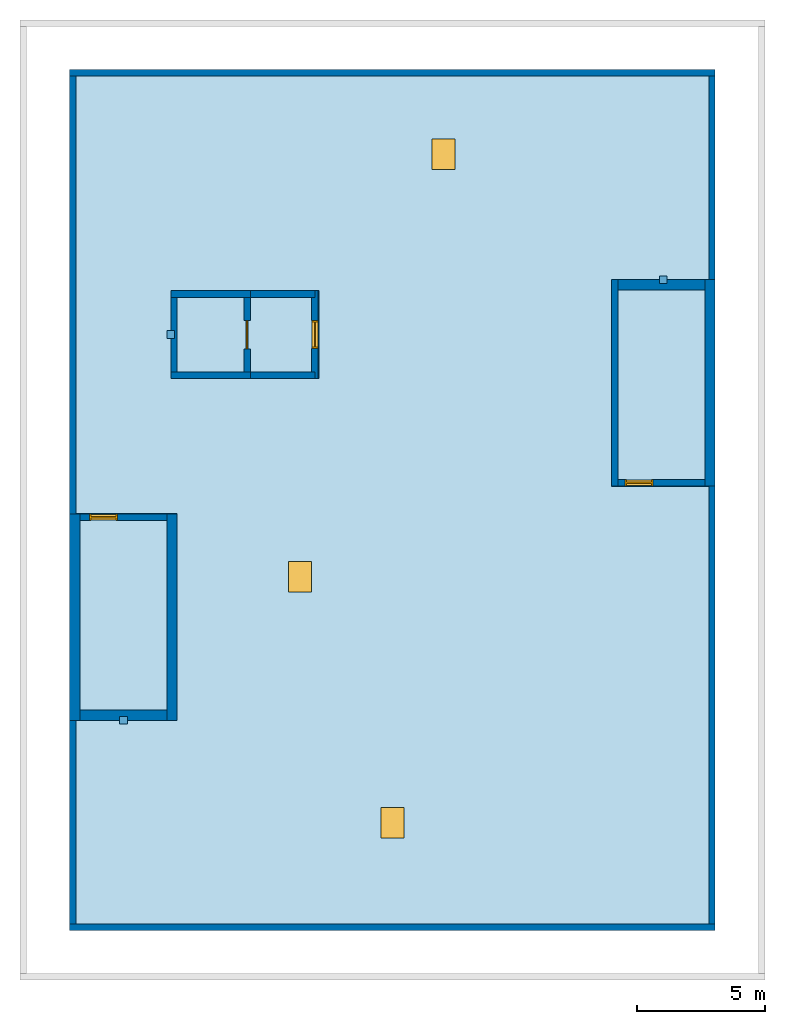
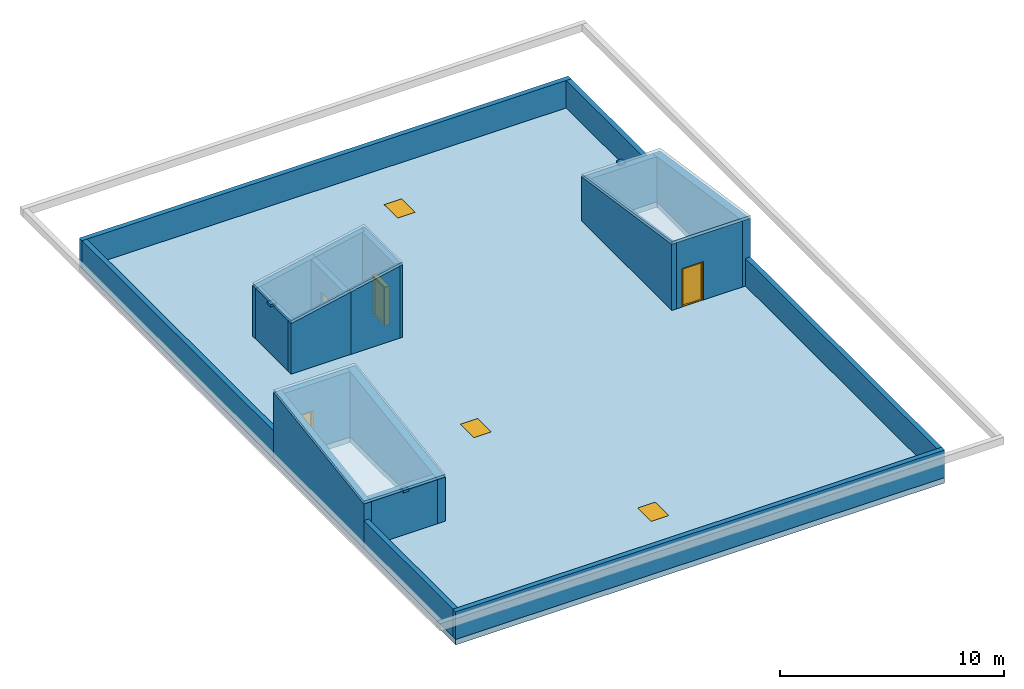
"""IFC4 building model written with IfcOpenShell, lengths in metres."""

from ifc_helpers import new_model, si_unit, direction, frame, frame_2d, origin, origin_2d, place, context, subcontext, project, spatial, polyline, rectangle, outline, extrude, material, layer, layer_set, type_object, element, fill, save


model = new_model("IFC4")

# Units and contexts
model_context = context("Model", 3, precision=1e-05, world=origin(), true_north=direction((0.0, 1.0)))
body_context = subcontext(model_context, "Body", "Model", "MODEL_VIEW")
ifc_project = project(units=[si_unit("LENGTHUNIT", "METRE"), si_unit("AREAUNIT", "SQUARE_METRE"), si_unit("VOLUMEUNIT", "CUBIC_METRE"), si_unit("PLANEANGLEUNIT", "RADIAN"), si_unit("MASSUNIT", "GRAM", prefix="KILO")], contexts=[model_context])

# Site, building, storey
site_placement = place(None, origin())
site = spatial("IfcSite", under=ifc_project, at=site_placement, CompositionType="ELEMENT")
building_placement = place(site_placement, origin())
building = spatial("IfcBuilding", under=site, at=building_placement, Name="Rulbaag Community and Learning Centre", CompositionType="ELEMENT")
storey_1_placement = place(building_placement, frame((0.0, 0.0, 68.89990234375)))
storey_1 = spatial("IfcBuildingStorey", under=building, at=storey_1_placement, Name="ROOF", CompositionType="ELEMENT", Elevation=68.89990234375)

# Slabs
ifc_material_1 = material(Name="Concrete M40", Category="concrete")
ifc_layer_1 = layer(ifc_material_1, 0.14990234375)
ifc_layer_set_1 = layer_set([ifc_layer_1], Name="S24 Head-house roof slab 150 Concrete M40")
slab_type_1 = type_object("IfcSlabType", Name="S24 Head-house roof slab 150 Concrete M40", PredefinedType="ROOF", material=ifc_layer_set_1)
slab_1_placement = place(storey_1_placement, frame((142.800048828125, 92.199951171875, 2.5517578125), z_axis=(0.0, -0.147432430153, 0.989072130099), x_axis=(1.0, 0.0, 0.0)))
element("IfcSlab", 1, at=slab_1_placement, inside=storey_1, type_object=slab_type_1, Name="SL-HH-ST1", PredefinedType="ROOF", context=body_context, shape_type="SweptSolid", body=[
    extrude(outline(polyline([(0.0, 0.0), (4.199951171875, 0.0), (4.199951171875, 8.138990659171496), (0.0, 8.138990659171496), (0.0, 0.0)])), origin(), (0.0, 0.0, -1.0), 0.14990234375),
])
slab_2_placement = place(storey_1_placement, frame((163.949951171875, 101.35009765625, 3.751708984375), z_axis=(0.0, 0.147436804399, 0.989071478058), x_axis=(1.0, 0.0, 0.0)))
element("IfcSlab", 2, at=slab_2_placement, inside=storey_1, type_object=slab_type_1, Name="SL-HH-ST2", PredefinedType="ROOF", context=body_context, shape_type="SweptSolid", body=[
    extrude(outline(polyline([(0.0, 0.0), (4.050048828125, 0.0), (4.050048828125, 8.138749186563077), (0.0, 8.138749186563077), (0.0, 0.0)])), origin(), (0.0, 0.0, -1.0), 0.14990234375),
])
slab_3_placement = place(storey_1_placement, frame((146.75, 105.550048828125, 2.9033203125), z_axis=(-0.204286199724, 0.0, 0.978911205678), x_axis=(0.978911205678, 0.0, 0.204286199724)))
element("IfcSlab", 3, at=slab_3_placement, inside=storey_1, type_object=slab_type_1, Name="Lift LF1 head slab and roof lift lobby roof", PredefinedType="ROOF", context=body_context, shape_type="SweptSolid", body=[
    extrude(outline(polyline([(0.0, 0.0), (5.873872897406292, 0.0), (5.873872897406292, 3.4250488281249996), (0.0, 3.4250488281249996), (0.0, 0.0)])), origin(), (0.0, 0.0, -1.0), 0.14990234375),
])

# Slab, openings
ifc_layer_2 = layer(ifc_material_1, 0.300048828125)
ifc_layer_set_2 = layer_set([ifc_layer_2], Name="S7 Roof slab 300 Concrete M40")
slab_type_2 = type_object("IfcSlabType", Name="S7 Roof slab 300 Concrete M40", PredefinedType="ROOF", material=ifc_layer_set_2)
slab_4_placement = place(storey_1_placement, frame((0.0, 0.0, -0.2998046875)))
slab_4 = element("IfcSlab", 4, at=slab_4_placement, inside=storey_1, type_object=slab_type_2, Name="SL-RF-001", PredefinedType="ROOF", context=body_context, shape_type="SweptSolid", body=[
    extrude(outline(polyline([(142.800048828125, 84.0), (168.0, 84.0), (168.0, 117.60009765625), (142.800048828125, 117.60009765625), (142.800048828125, 84.0)]), holes=[polyline([(143.199951171875, 92.60009765625), (146.60009765625, 92.60009765625), (146.60009765625, 100.0), (143.199951171875, 100.0), (143.199951171875, 92.60009765625)]), polyline([(164.199951171875, 101.60009765625), (167.60009765625, 101.60009765625), (167.60009765625, 109.0), (164.199951171875, 109.0), (164.199951171875, 101.60009765625)]), polyline([(147.0, 105.800048828125), (149.60009765625, 105.800048828125), (149.60009765625, 108.699951171875), (147.0, 108.699951171875), (147.0, 105.800048828125)])]), origin(), (0.0, 0.0, 1.0), 0.2998046875),
])
opening_1_placement = place(slab_4_placement, frame((155.39990234375, 88.199951171875, 0.0)))
opening_1 = element("IfcOpeningElement", 5, at=opening_1_placement, cuts=slab_4, Name="Opening HT1", PredefinedType="OPENING", context=body_context, shape_type="SweptSolid", body=[
    extrude(rectangle(XDim=0.89990234375, YDim=1.199951171875, at=origin_2d()), origin(), (0.0, 0.0, 1.0), 0.2998046875),
])
opening_2_placement = place(slab_4_placement, frame((157.39990234375, 114.300048828125, 0.0)))
opening_2 = element("IfcOpeningElement", 6, at=opening_2_placement, cuts=slab_4, Name="Opening HT1", PredefinedType="OPENING", context=body_context, shape_type="SweptSolid", body=[
    extrude(rectangle(XDim=0.89990234375, YDim=1.199951171875, at=origin_2d()), origin(), (0.0, 0.0, 1.0), 0.2998046875),
])
opening_3_placement = place(slab_4_placement, frame((151.800048828125, 97.800048828125, 0.0)))
opening_3 = element("IfcOpeningElement", 7, at=opening_3_placement, cuts=slab_4, Name="Opening HT1", PredefinedType="OPENING", context=body_context, shape_type="SweptSolid", body=[
    extrude(rectangle(XDim=0.89990234375, YDim=1.199951171875, at=origin_2d()), origin(), (0.0, 0.0, 1.0), 0.2998046875),
])

# Storey
storey_2_placement = place(building_placement, frame((0.0, 0.0, 64.800048828125)))
storey_2 = spatial("IfcBuildingStorey", under=building, at=storey_2_placement, Name="L17", CompositionType="ELEMENT", Elevation=64.800048828125)

# Window
ifc_material_2 = material(Name="Aluminium", Category="aluminium")
window_type = type_object("IfcWindowType", Name="HT-0912", PartitioningType="SINGLE_PANEL", PredefinedType="SKYLIGHT", material=ifc_material_2)
window_1_placement = place(opening_1_placement, frame((0.0, 0.0, 0.249755859375)))
window_1 = element("IfcWindow", 8, at=window_1_placement, inside=storey_2, type_object=window_type, Name="Roof access hatch", OverallHeight=1.199951171875, OverallWidth=0.89990234375, PartitioningType="SINGLE_PANEL", PredefinedType="SKYLIGHT", context=body_context, shape_type="SweptSolid", body=[
    extrude(rectangle(XDim=0.89990234375, YDim=1.199951171875, at=origin_2d()), origin(), (0.0, 0.0, 1.0), 0.050048828125),
])

fill(opening_1, window_1)

window_2_placement = place(opening_2_placement, frame((0.0, 0.0, 0.249755859375)))
window_2 = element("IfcWindow", 9, at=window_2_placement, inside=storey_2, type_object=window_type, Name="Roof access hatch", OverallHeight=1.199951171875, OverallWidth=0.89990234375, PartitioningType="SINGLE_PANEL", PredefinedType="SKYLIGHT", context=body_context, shape_type="SweptSolid", body=[
    extrude(rectangle(XDim=0.89990234375, YDim=1.199951171875, at=origin_2d()), origin(), (0.0, 0.0, 1.0), 0.050048828125),
])

fill(opening_2, window_2)

window_3_placement = place(opening_3_placement, frame((0.0, 0.0, 0.249755859375)))
window_3 = element("IfcWindow", 10, at=window_3_placement, inside=storey_2, type_object=window_type, Name="Roof access hatch", OverallHeight=1.199951171875, OverallWidth=0.89990234375, PartitioningType="SINGLE_PANEL", PredefinedType="SKYLIGHT", context=body_context, shape_type="SweptSolid", body=[
    extrude(rectangle(XDim=0.89990234375, YDim=1.199951171875, at=origin_2d()), origin(), (0.0, 0.0, 1.0), 0.050048828125),
])

fill(opening_3, window_3)

# Walls
ifc_layer_3 = layer(ifc_material_1, 0.25)
ifc_layer_set_3 = layer_set([ifc_layer_3], Name="EW-PAR250")
wall_type_1 = type_object("IfcWallType", Name="EW-PAR250", PredefinedType="PARAPET", material=ifc_layer_set_3)
for number, where, z_axis, x_axis, name in (
    (11, (142.800048828125, 84.125, 0.0), (0.0, 0.0, 1.0), (1.0, 0.0, 0.0), "Precast concrete parapet upstand with drip nose"),
    (12, (142.800048828125, 117.47509765625, 0.0), (0.0, 0.0, 1.0), (1.0, 0.0, 0.0), "Precast concrete parapet upstand with drip nose"),
):
    element("IfcWall", number, at=place(storey_1_placement, frame(where, z_axis=z_axis, x_axis=x_axis)), inside=storey_1, type_object=wall_type_1, Name=name, PredefinedType="PARAPET", context=body_context, shape_type="SweptSolid", body=[
        extrude(rectangle(XDim=25.199951171875, YDim=0.25, at=frame_2d((12.60009765625, 0.0))), origin(), (0.0, 0.0, 1.0), 1.5),
    ])
wall_1_placement = place(storey_1_placement, frame((142.925048828125, 84.25, 0.0), z_axis=(0.0, 0.0, 1.0), x_axis=(0.0, 1.0, 0.0)))
element("IfcWall", 13, at=wall_1_placement, inside=storey_1, type_object=wall_type_1, Name="Precast concrete parapet upstand with drip nose", PredefinedType="PARAPET", context=body_context, shape_type="SweptSolid", body=[
    extrude(rectangle(XDim=7.949951171875, YDim=0.25, at=frame_2d((3.97509765625, 0.0))), origin(), (0.0, 0.0, 1.0), 1.5),
])
for number, where, z_axis, x_axis, name in (
    (14, (167.875, 84.25, 0.0), (0.0, 0.0, 1.0), (0.0, 1.0, 0.0), "Precast concrete parapet upstand with drip nose"),
    (15, (142.925048828125, 100.25, 0.0), (0.0, 0.0, 1.0), (0.0, 1.0, 0.0), "Precast concrete parapet upstand with drip nose"),
):
    element("IfcWall", number, at=place(storey_1_placement, frame(where, z_axis=z_axis, x_axis=x_axis)), inside=storey_1, type_object=wall_type_1, Name=name, PredefinedType="PARAPET", context=body_context, shape_type="SweptSolid", body=[
        extrude(rectangle(XDim=17.10009765625, YDim=0.25, at=frame_2d((8.550048828125, 0.0))), origin(), (0.0, 0.0, 1.0), 1.5),
    ])
wall_2_placement = place(storey_1_placement, frame((167.875, 109.39990234375, 0.0), z_axis=(0.0, 0.0, 1.0), x_axis=(0.0, 1.0, 0.0)))
element("IfcWall", 16, at=wall_2_placement, inside=storey_1, type_object=wall_type_1, Name="Precast concrete parapet upstand with drip nose", PredefinedType="PARAPET", context=body_context, shape_type="SweptSolid", body=[
    extrude(rectangle(XDim=7.9501953125, YDim=0.25, at=frame_2d((3.97509765625, 0.0))), origin(), (0.0, 0.0, 1.0), 1.5),
])
ifc_layer_4 = layer(ifc_material_1, 0.27490234375)
ifc_layer_set_4 = layer_set([ifc_layer_4], Name="W16 Shaft wall 275 Concrete M40")
wall_type_2 = type_object("IfcWallType", Name="W16 Shaft wall 275 Concrete M40", PredefinedType="SHEAR", material=ifc_layer_set_4)
wall_3_placement = place(storey_1_placement, frame((146.75, 108.83740234375, 0.0), z_axis=(0.0, 0.0, 1.0), x_axis=(1.0, 0.0, 0.0)))
element("IfcWall", 17, at=wall_3_placement, inside=storey_1, type_object=wall_type_2, Name="Lift LF1 shaft wall above the roof N", PredefinedType="SHEAR", context=body_context, shape_type="SweptSolid", body=[
    extrude(outline(polyline([(0.0, 0.0), (3.10009765625, 0.0), (3.10009765625, 3.397216796875), (0.0, 2.75), (0.0, 0.0)])), frame((0.0, 0.137451171875, 0.0), z_axis=(0.0, -1.0, 0.0), x_axis=(1.0, 0.0, 0.0)), (0.0, 0.0, 1.0), 0.27490234375),
])
wall_4_placement = place(storey_1_placement, frame((149.85009765625, 108.83740234375, 0.0), z_axis=(0.0, 0.0, 1.0), x_axis=(1.0, 0.0, 0.0)))
element("IfcWall", 18, at=wall_4_placement, inside=storey_1, type_object=wall_type_2, Name="Roof lift lobby wall LF1 N", PredefinedType="SHEAR", context=body_context, shape_type="SweptSolid", body=[
    extrude(outline(polyline([(0.0, 0.0), (2.52490234375, 0.0), (2.52490234375, 3.924072265625), (0.0, 3.397216796875), (0.0, 0.0)])), frame((0.0, 0.137451171875, 0.0), z_axis=(0.0, -1.0, 0.0), x_axis=(1.0, 0.0, 0.0)), (0.0, 0.0, 1.0), 0.27490234375),
])
ifc_material_3 = material(Name="Concrete M60", Category="concrete")
ifc_layer_5 = layer(ifc_material_3, 0.39990234375)
ifc_layer_set_5 = layer_set([ifc_layer_5], Name="W2 Core wall 400 Concrete M60")
wall_type_3 = type_object("IfcWallType", Name="W2 Core wall 400 Concrete M60", PredefinedType="SHEAR", material=ifc_layer_set_5)
wall_5_placement = place(storey_1_placement, frame((143.0, 92.199951171875, 0.0), z_axis=(0.0, 0.0, 1.0), x_axis=(0.0, 1.0, 0.0)))
element("IfcWall", 19, at=wall_5_placement, inside=storey_1, type_object=wall_type_3, Name="Stair head house wall ST1 W", PredefinedType="SHEAR", context=body_context, shape_type="SweptSolid", body=[
    extrude(outline(polyline([(0.0, 0.0), (8.050048828125, 0.0), (8.050048828125, 3.60009765625), (0.0, 2.400146484375), (0.0, 0.0)])), frame((0.0, 0.199951171875, 0.0), z_axis=(0.0, -1.0, 0.0), x_axis=(1.0, 0.0, 0.0)), (0.0, 0.0, 1.0), 0.39990234375),
])
wall_6_placement = place(storey_1_placement, frame((143.199951171875, 92.39990234375, 0.0), z_axis=(0.0, 0.0, 1.0), x_axis=(1.0, 0.0, 0.0)))
element("IfcWall", 20, at=wall_6_placement, inside=storey_1, type_object=wall_type_3, Name="Stair head house wall ST1 S", PredefinedType="SHEAR", context=body_context, shape_type="SweptSolid", body=[
    extrude(outline(polyline([(-0.199951171875, 0.0), (0.199951171875, 0.0), (0.199951171875, 2.459716796875), (-0.199951171875, 2.400146484375), (-0.199951171875, 0.0)])), frame((0.0, 0.0, 0.0), z_axis=(1.0, 0.0, 0.0), x_axis=(0.0, 1.0, 0.0)), (0.0, 0.0, 1.0), 3.400146484375),
])
wall_7_placement = place(storey_1_placement, frame((167.800048828125, 101.35009765625, 0.0), z_axis=(0.0, 0.0, 1.0), x_axis=(0.0, 1.0, 0.0)))
element("IfcWall", 21, at=wall_7_placement, inside=storey_1, type_object=wall_type_3, Name="Stair head house wall ST2 E", PredefinedType="SHEAR", context=body_context, shape_type="SweptSolid", body=[
    extrude(outline(polyline([(0.0, 0.0), (8.0498046875, 0.0), (8.050048828125, 2.400146484375), (0.0, 3.60009765625), (0.0, 0.0)])), frame((0.0, 0.199951171875, 0.0), z_axis=(0.0, -1.0, 0.0), x_axis=(1.0, 0.0, 0.0)), (0.0, 0.0, 1.0), 0.39990234375),
])
wall_8_placement = place(storey_1_placement, frame((164.199951171875, 109.199951171875, 0.0), z_axis=(0.0, 0.0, 1.0), x_axis=(1.0, 0.0, 0.0)))
element("IfcWall", 22, at=wall_8_placement, inside=storey_1, type_object=wall_type_3, Name="Stair head house wall ST2 N", PredefinedType="SHEAR", context=body_context, shape_type="SweptSolid", body=[
    extrude(outline(polyline([(-0.199951171875, 0.0), (0.199951171875, 0.0), (0.199951171875, 2.400146484375), (-0.199951171875, 2.459716796875), (-0.199951171875, 0.0)])), frame((0.0, 0.0, 0.0), z_axis=(1.0, 0.0, 0.0), x_axis=(0.0, 1.0, 0.0)), (0.0, 0.0, 1.0), 3.400146484375),
])

# Wall, opening, door
ifc_layer_6 = layer(ifc_material_1, 0.25)
ifc_layer_set_6 = layer_set([ifc_layer_6], Name="W5 Shaft wall 250 Concrete M40")
wall_type_4 = type_object("IfcWallType", Name="W5 Shaft wall 250 Concrete M40", PredefinedType="SHEAR", material=ifc_layer_set_6)
wall_9_placement = place(storey_1_placement, frame((143.199951171875, 100.125, 0.0), z_axis=(0.0, 0.0, 1.0), x_axis=(1.0, 0.0, 0.0)))
wall_9 = element("IfcWall", 23, at=wall_9_placement, inside=storey_1, type_object=wall_type_4, Name="Stair head house wall ST1 N", PredefinedType="SHEAR", context=body_context, shape_type="SweptSolid", body=[
    extrude(outline(polyline([(-0.125, 0.0), (0.125, 0.0), (0.125, 3.60009765625), (-0.125, 3.562744140625), (-0.125, 0.0)])), frame((0.0, 0.0, 0.0), z_axis=(1.0, 0.0, 0.0), x_axis=(0.0, 1.0, 0.0)), (0.0, 0.0, 1.0), 3.400146484375),
])
opening_4_placement = place(wall_9_placement, frame((0.375, 0.0, 0.0)))
opening_4 = element("IfcOpeningElement", 24, at=opening_4_placement, cuts=wall_9, Name="Opening ROOF-D001", PredefinedType="OPENING", context=body_context, shape_type="SweptSolid", body=[
    extrude(rectangle(XDim=1.10009765625, YDim=2.10009765625, at=frame_2d((0.550048828125, 1.050048828125))), frame((0.0, 0.135009765625, 0.0), z_axis=(0.0, -1.0, 0.0), x_axis=(1.0, 0.0, 0.0)), (0.0, 0.0, 1.0), 0.27001953125),
])
ifc_material_4 = material(Name="Galvanised steel", Category="steel")
door_type_1 = type_object("IfcDoorType", Name="DX-11", OperationType="SINGLE_SWING_LEFT", PredefinedType="DOOR", material=ifc_material_4)
door_1_placement = place(opening_4_placement, origin())
door_1 = element("IfcDoor", 25, at=door_1_placement, inside=storey_1, type_object=door_type_1, Name="Roof exit door ST1", OperationType="SINGLE_SWING_RIGHT", OverallHeight=2.10009765625, OverallWidth=1.10009765625, PredefinedType="DOOR", context=body_context, shape_type="SweptSolid", body=[
    extrude(rectangle(XDim=1.10009765625, YDim=0.012939453125, at=frame_2d((0.550048828125, 0.006591796875))), frame((0.0, 0.113037109375, 0.0), z_axis=(0.0, -1.0, 0.0), x_axis=(1.0, 0.0, 0.0)), (0.0, 0.0, 1.0), 0.22607421875),
    extrude(rectangle(XDim=0.06005859375, YDim=2.027099609375, at=frame_2d((0.030029296875, 1.026611328125))), frame((0.0, 0.123046875, 0.0), z_axis=(0.0, -1.0, 0.0), x_axis=(1.0, 0.0, 0.0)), (0.0, 0.0, 1.0), 0.24609375),
    extrude(rectangle(XDim=0.06005859375, YDim=2.027099609375, at=frame_2d((1.070068359375, 1.026611328125))), frame((0.0, 0.123046875, 0.0), z_axis=(0.0, -1.0, 0.0), x_axis=(1.0, 0.0, 0.0)), (0.0, 0.0, 1.0), 0.24609375),
    extrude(rectangle(XDim=1.10009765625, YDim=0.06005859375, at=frame_2d((0.550048828125, 2.070068359375))), frame((0.0, 0.113037109375, 0.0), z_axis=(0.0, -1.0, 0.0), x_axis=(1.0, 0.0, 0.0)), (0.0, 0.0, 1.0), 0.22607421875),
    extrude(rectangle(XDim=0.97998046875, YDim=2.027099609375, at=frame_2d((0.550048828125, 1.026611328125))), frame((0.0, 0.02490234375, 0.0), z_axis=(0.0, -1.0, 0.0), x_axis=(1.0, 0.0, 0.0)), (0.0, 0.0, 1.0), 0.050048828125),
])
fill(opening_4, door_1)

# Wall
wall_10_placement = place(storey_1_placement, frame((164.074951171875, 101.35009765625, 0.0), z_axis=(0.0, 0.0, 1.0), x_axis=(0.0, 1.0, 0.0)))
element("IfcWall", 26, at=wall_10_placement, inside=storey_1, type_object=wall_type_4, Name="Stair head house wall ST2 W", PredefinedType="SHEAR", context=body_context, shape_type="SweptSolid", body=[
    extrude(outline(polyline([(0.0, 0.0), (8.0498046875, 0.0), (8.050048828125, 2.400146484375), (0.0, 3.60009765625), (0.0, 0.0)])), frame((0.0, 0.125, 0.0), z_axis=(0.0, -1.0, 0.0), x_axis=(1.0, 0.0, 0.0)), (0.0, 0.0, 1.0), 0.25),
])

# Wall, opening, door
wall_11_placement = place(storey_1_placement, frame((164.199951171875, 101.47509765625, 0.0), z_axis=(0.0, 0.0, 1.0), x_axis=(1.0, 0.0, 0.0)))
wall_11 = element("IfcWall", 27, at=wall_11_placement, inside=storey_1, type_object=wall_type_4, Name="Stair head house wall ST2 S", PredefinedType="SHEAR", context=body_context, shape_type="SweptSolid", body=[
    extrude(outline(polyline([(-0.125, 0.0), (0.125, 0.0), (0.125, 3.562744140625), (-0.125, 3.60009765625), (-0.125, 0.0)])), frame((0.0, 0.0, 0.0), z_axis=(1.0, 0.0, 0.0), x_axis=(0.0, 1.0, 0.0)), (0.0, 0.0, 1.0), 3.400146484375),
])
opening_5_placement = place(wall_11_placement, frame((1.375, 0.0, 0.0), z_axis=(0.0, 0.0, 1.0), x_axis=(-1.0, 0.0, 0.0)))
opening_5 = element("IfcOpeningElement", 28, at=opening_5_placement, cuts=wall_11, Name="Opening ROOF-D004", PredefinedType="OPENING", context=body_context, shape_type="SweptSolid", body=[
    extrude(rectangle(XDim=1.10009765625, YDim=2.10009765625, at=frame_2d((0.550048828125, 1.050048828125))), frame((0.0, 0.135009765625, 0.0), z_axis=(0.0, -1.0, 0.0), x_axis=(1.0, 0.0, 0.0)), (0.0, 0.0, 1.0), 0.27001953125),
])
door_2_placement = place(opening_5_placement, origin())
door_2 = element("IfcDoor", 29, at=door_2_placement, inside=storey_1, type_object=door_type_1, Name="Roof exit door ST2", OperationType="SINGLE_SWING_LEFT", OverallHeight=2.10009765625, OverallWidth=1.10009765625, PredefinedType="DOOR", context=body_context, shape_type="SweptSolid", body=[
    extrude(rectangle(XDim=1.10009765625, YDim=0.012939453125, at=frame_2d((0.550048828125, 0.006591796875))), frame((0.0, 0.113037109375, 0.0), z_axis=(0.0, -1.0, 0.0), x_axis=(1.0, 0.0, 0.0)), (0.0, 0.0, 1.0), 0.22607421875),
    extrude(rectangle(XDim=0.06005859375, YDim=2.027099609375, at=frame_2d((0.030029296875, 1.026611328125))), frame((0.0, 0.123046875, 0.0), z_axis=(0.0, -1.0, 0.0), x_axis=(1.0, 0.0, 0.0)), (0.0, 0.0, 1.0), 0.24609375),
    extrude(rectangle(XDim=0.06005859375, YDim=2.027099609375, at=frame_2d((1.070068359375, 1.026611328125))), frame((0.0, 0.123046875, 0.0), z_axis=(0.0, -1.0, 0.0), x_axis=(1.0, 0.0, 0.0)), (0.0, 0.0, 1.0), 0.24609375),
    extrude(rectangle(XDim=1.10009765625, YDim=0.06005859375, at=frame_2d((0.550048828125, 2.070068359375))), frame((0.0, 0.113037109375, 0.0), z_axis=(0.0, -1.0, 0.0), x_axis=(1.0, 0.0, 0.0)), (0.0, 0.0, 1.0), 0.22607421875),
    extrude(rectangle(XDim=0.97998046875, YDim=2.027099609375, at=frame_2d((0.550048828125, 1.026611328125))), frame((0.0, 0.02490234375, 0.0), z_axis=(0.0, -1.0, 0.0), x_axis=(1.0, 0.0, 0.0)), (0.0, 0.0, 1.0), 0.050048828125),
])
fill(opening_5, door_2)

# Walls
wall_12_placement = place(storey_1_placement, frame((146.75, 105.675048828125, 0.0), z_axis=(0.0, 0.0, 1.0), x_axis=(1.0, 0.0, 0.0)))
element("IfcWall", 30, at=wall_12_placement, inside=storey_1, type_object=wall_type_4, Name="Lift LF1 shaft wall above the roof S", PredefinedType="SHEAR", context=body_context, shape_type="SweptSolid", body=[
    extrude(outline(polyline([(0.0, 0.0), (3.10009765625, 0.0), (3.10009765625, 3.397216796875), (0.0, 2.75), (0.0, 0.0)])), frame((0.0, 0.125, 0.0), z_axis=(0.0, -1.0, 0.0), x_axis=(1.0, 0.0, 0.0)), (0.0, 0.0, 1.0), 0.25),
])
wall_13_placement = place(storey_1_placement, frame((146.875, 105.800048828125, 0.0), z_axis=(0.0, 0.0, 1.0), x_axis=(0.0, 1.0, 0.0)))
element("IfcWall", 31, at=wall_13_placement, inside=storey_1, type_object=wall_type_4, Name="Lift LF1 shaft wall above the roof W", PredefinedType="SHEAR", context=body_context, shape_type="SweptSolid", body=[
    extrude(outline(polyline([(-0.125, 0.0), (0.125, 0.0), (0.125, 2.75), (-0.125, 2.80224609375), (-0.125, 0.0)])), frame((0.0, 0.0, 0.0), z_axis=(1.0, 0.0, 0.0), x_axis=(0.0, 1.0, 0.0)), (0.0, 0.0, 1.0), 2.89990234375),
])

# Wall, opening, door
wall_14_placement = place(storey_1_placement, frame((149.72509765625, 105.550048828125, 0.0), z_axis=(0.0, 0.0, 1.0), x_axis=(0.0, 1.0, 0.0)))
wall_14 = element("IfcWall", 32, at=wall_14_placement, inside=storey_1, type_object=wall_type_4, Name="Lift LF1 shaft wall above the roof E", PredefinedType="SHEAR", context=body_context, shape_type="SweptSolid", body=[
    extrude(outline(polyline([(-0.125, 0.0), (0.125, 0.0), (0.125, 3.344970703125), (-0.125, 3.397216796875), (-0.125, 0.0)])), frame((0.0, 0.0, 0.0), z_axis=(1.0, 0.0, 0.0), x_axis=(0.0, 1.0, 0.0)), (0.0, 0.0, 1.0), 3.425048828125),
])
opening_6_placement = place(wall_14_placement, frame((1.14990234375, 0.0, 0.0)))
opening_6 = element("IfcOpeningElement", 33, at=opening_6_placement, cuts=wall_14, Name="Opening ROOF-D002", PredefinedType="OPENING", context=body_context, shape_type="SweptSolid", body=[
    extrude(rectangle(XDim=1.10009765625, YDim=2.10009765625, at=frame_2d((0.550048828125, 1.050048828125))), frame((0.0, 0.135009765625, 0.0), z_axis=(0.0, -1.0, 0.0), x_axis=(1.0, 0.0, 0.0)), (0.0, 0.0, 1.0), 0.27001953125),
])
ifc_material_5 = material(Name="Stainless steel grade 304", Category="steel")
door_type_2 = type_object("IfcDoorType", Name="LD-1100 LIFT LANDING DOOR 1100 x 2100", OperationType="SLIDING_TO_LEFT", PredefinedType="DOOR", material=ifc_material_5)
door_3_placement = place(opening_6_placement, origin())
door_3 = element("IfcDoor", 34, at=door_3_placement, inside=storey_1, type_object=door_type_2, Name="Lift landing door LF1 ROOF", OperationType="SLIDING_TO_LEFT", OverallHeight=2.10009765625, OverallWidth=1.10009765625, PredefinedType="DOOR", context=body_context, shape_type="SweptSolid", body=[
    extrude(rectangle(XDim=1.10009765625, YDim=2.10009765625, at=frame_2d((0.550048828125, 1.050048828125))), frame((0.0, 0.02490234375, 0.0), z_axis=(0.0, -1.0, 0.0), x_axis=(1.0, 0.0, 0.0)), (0.0, 0.0, 1.0), 0.050048828125),
])
fill(opening_6, door_3)

# Wall
wall_15_placement = place(storey_1_placement, frame((149.85009765625, 105.675048828125, 0.0), z_axis=(0.0, 0.0, 1.0), x_axis=(1.0, 0.0, 0.0)))
element("IfcWall", 35, at=wall_15_placement, inside=storey_1, type_object=wall_type_4, Name="Roof lift lobby wall LF1 S", PredefinedType="SHEAR", context=body_context, shape_type="SweptSolid", body=[
    extrude(outline(polyline([(0.0, 0.0), (2.52490234375, 0.0), (2.52490234375, 3.924072265625), (0.0, 3.397216796875), (0.0, 0.0)])), frame((0.0, 0.125, 0.0), z_axis=(0.0, -1.0, 0.0), x_axis=(1.0, 0.0, 0.0)), (0.0, 0.0, 1.0), 0.25),
])

# Wall, opening, door
wall_16_placement = place(storey_1_placement, frame((152.375, 105.550048828125, 0.0), z_axis=(0.0, 0.0, 1.0), x_axis=(0.0, 1.0, 0.0)))
wall_16 = element("IfcWall", 36, at=wall_16_placement, inside=storey_1, type_object=wall_type_4, Name="Roof lift lobby end wall LF1", PredefinedType="SHEAR", context=body_context, shape_type="SweptSolid", body=[
    extrude(outline(polyline([(-0.125, 0.0), (0.125, 0.0), (0.125, 3.89794921875), (-0.125, 3.9501953125), (-0.125, 0.0)])), frame((0.0, 0.0, 0.0), z_axis=(1.0, 0.0, 0.0), x_axis=(0.0, 1.0, 0.0)), (0.0, 0.0, 1.0), 3.425048828125),
])
opening_7_placement = place(wall_16_placement, frame((2.2626953125, 0.0, 0.0), z_axis=(0.0, 0.0, 1.0), x_axis=(-1.0, 0.0, 0.0)))
opening_7 = element("IfcOpeningElement", 37, at=opening_7_placement, cuts=wall_16, Name="Opening ROOF-D003", PredefinedType="OPENING", context=body_context, shape_type="SweptSolid", body=[
    extrude(rectangle(XDim=1.10009765625, YDim=2.10009765625, at=frame_2d((0.550048828125, 1.050048828125))), frame((0.0, 0.135009765625, 0.0), z_axis=(0.0, -1.0, 0.0), x_axis=(1.0, 0.0, 0.0)), (0.0, 0.0, 1.0), 0.27001953125),
])
door_4_placement = place(opening_7_placement, origin())
door_4 = element("IfcDoor", 38, at=door_4_placement, inside=storey_1, type_object=door_type_1, Name="Roof lift lobby door LF1", OperationType="SINGLE_SWING_LEFT", OverallHeight=2.10009765625, OverallWidth=1.10009765625, PredefinedType="DOOR", context=body_context, shape_type="SweptSolid", body=[
    extrude(rectangle(XDim=1.10009765625, YDim=0.012939453125, at=frame_2d((0.550048828125, 0.006591796875))), frame((0.0, 0.113037109375, 0.0), z_axis=(0.0, -1.0, 0.0), x_axis=(1.0, 0.0, 0.0)), (0.0, 0.0, 1.0), 0.22607421875),
    extrude(rectangle(XDim=0.06005859375, YDim=2.027099609375, at=frame_2d((0.030029296875, 1.026611328125))), frame((0.0, 0.123046875, 0.0), z_axis=(0.0, -1.0, 0.0), x_axis=(1.0, 0.0, 0.0)), (0.0, 0.0, 1.0), 0.24609375),
    extrude(rectangle(XDim=0.06005859375, YDim=2.027099609375, at=frame_2d((1.070068359375, 1.026611328125))), frame((0.0, 0.123046875, 0.0), z_axis=(0.0, -1.0, 0.0), x_axis=(1.0, 0.0, 0.0)), (0.0, 0.0, 1.0), 0.24609375),
    extrude(rectangle(XDim=1.10009765625, YDim=0.06005859375, at=frame_2d((0.550048828125, 2.070068359375))), frame((0.0, 0.113037109375, 0.0), z_axis=(0.0, -1.0, 0.0), x_axis=(1.0, 0.0, 0.0)), (0.0, 0.0, 1.0), 0.22607421875),
    extrude(rectangle(XDim=0.97998046875, YDim=2.027099609375, at=frame_2d((0.550048828125, 1.026611328125))), frame((0.0, 0.02490234375, 0.0), z_axis=(0.0, -1.0, 0.0), x_axis=(1.0, 0.0, 0.0)), (0.0, 0.0, 1.0), 0.050048828125),
])
fill(opening_7, door_4)

# Wall
ifc_layer_7 = layer(ifc_material_1, 0.39990234375)
ifc_layer_set_7 = layer_set([ifc_layer_7], Name="W7 Stair wall 400 Concrete M40")
wall_type_5 = type_object("IfcWallType", Name="W7 Stair wall 400 Concrete M40", PredefinedType="SHEAR", material=ifc_layer_set_7)
wall_17_placement = place(storey_1_placement, frame((146.800048828125, 92.199951171875, 0.0), z_axis=(0.0, 0.0, 1.0), x_axis=(0.0, 1.0, 0.0)))
element("IfcWall", 39, at=wall_17_placement, inside=storey_1, type_object=wall_type_5, Name="Stair head house wall ST1 E", PredefinedType="SHEAR", context=body_context, shape_type="SweptSolid", body=[
    extrude(outline(polyline([(0.0, 0.0), (8.050048828125, 0.0), (8.050048828125, 3.60009765625), (0.0, 2.400146484375), (0.0, 0.0)])), frame((0.0, 0.199951171875, 0.0), z_axis=(0.0, -1.0, 0.0), x_axis=(1.0, 0.0, 0.0)), (0.0, 0.0, 1.0), 0.39990234375),
])

# Discrete accessories
discrete_accessory_type = type_object("IfcDiscreteAccessoryType", Name="SC-1", PredefinedType="USERDEFINED", material=ifc_material_1)
for number, where, z_axis, x_axis, name in (
    (40, (144.89990234375, 92.199951171875, 2.41162109375), (0.0, 0.0, 1.0), (1.0, 0.0, 0.0), "Head house roof scupper"),
    (41, (165.97509765625, 109.39990234375, 2.41162109375), (0.0, 0.0, 1.0), (1.0, 0.0, 0.0), "Head house roof scupper"),
    (42, (146.75, 107.262451171875, 2.76318359375), (0.0, 0.0, 1.0), (1.0, 0.0, 0.0), "Head house roof scupper"),
):
    element("IfcDiscreteAccessory", number, at=place(storey_1_placement, frame(where, z_axis=z_axis, x_axis=x_axis)), inside=storey_1, type_object=discrete_accessory_type, Name=name, ObjectType="SCUPPER", PredefinedType="USERDEFINED", context=body_context, shape_type="SweptSolid", body=[
        extrude(rectangle(XDim=0.300048828125, YDim=0.300048828125, at=origin_2d()), origin(), (0.0, 0.0, 1.0), 0.1201171875),
    ])

save(model, "model.ifc")
